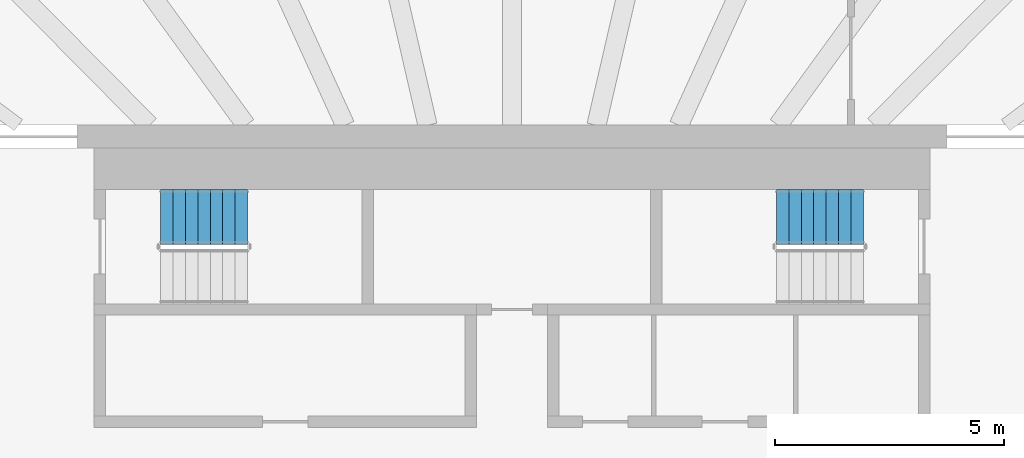
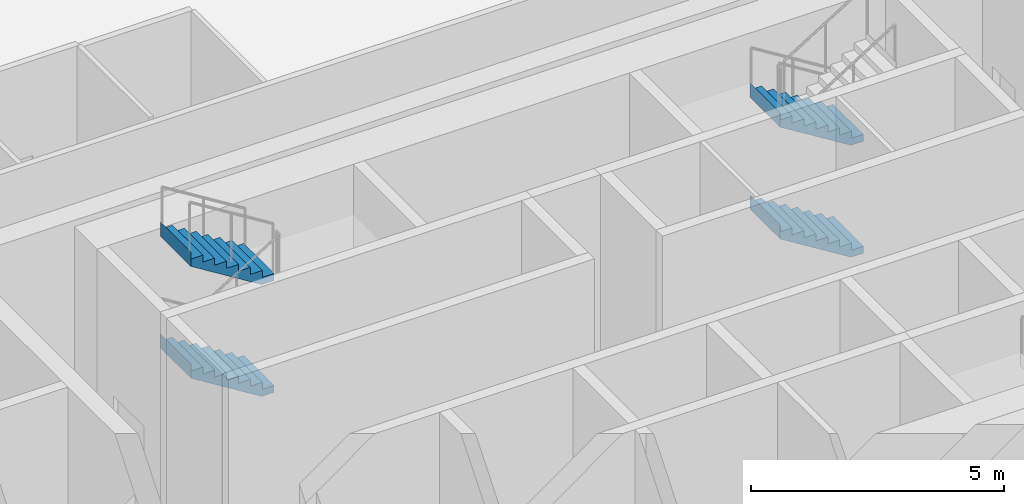
# One storey, part 11 of 18: 4 stair flights, 2 elements without a shape of their own.
"""IFC4 building model written with IfcOpenShell, lengths in metres."""

from ifc_helpers import new_model, si_unit, direction, frame, origin, place, context, subcontext, project, spatial, triangles, material, type_object, element, aggregate, save


model = new_model("IFC4")

# Units and contexts
model_context = context("Model", 3, precision=1e-05, world=origin(), true_north=direction((0.0, 1.0)))
body_context = subcontext(model_context, "Body", "Model", "MODEL_VIEW")
ifc_project = project(units=[si_unit("LENGTHUNIT", "METRE"), si_unit("AREAUNIT", "SQUARE_METRE"), si_unit("VOLUMEUNIT", "CUBIC_METRE"), si_unit("PLANEANGLEUNIT", "RADIAN"), si_unit("MASSUNIT", "GRAM", prefix="KILO")], contexts=[model_context])

# Site, building, storey
site_placement = place(None, origin())
site = spatial("IfcSite", under=ifc_project, at=site_placement, CompositionType="ELEMENT")
building_placement = place(site_placement, origin())
building = spatial("IfcBuilding", under=site, at=building_placement, Name="Sahrelin Media Tower", CompositionType="ELEMENT")
storey_placement = place(building_placement, frame((0.0, 0.0, 148.199951171875)))
storey = spatial("IfcBuildingStorey", under=building, at=storey_placement, Name="L30", CompositionType="ELEMENT", Elevation=148.199951171875)

# Stair, stair flights
ifc_material = material(Name="Concrete C40/50", Category="concrete")
stair_type = type_object("IfcStairType", Name="Exit stair 1200", PredefinedType="HALF_TURN_STAIR", material=ifc_material)
placement = place(storey_placement, origin())
stair_1 = element("IfcStair", 1, at=placement, inside=storey, type_object=stair_type, Name="L30 Exit stair ST1", PredefinedType="HALF_TURN_STAIR")
stair_flight_type = type_object("IfcStairFlightType", Name="Stair flight 1200", PredefinedType="STRAIGHT", material=ifc_material)
stair_flight_1_placement = place(storey_placement, frame((-5.77490234375, 6.0, 1.35009765625), z_axis=(0.0, 0.0, 1.0), x_axis=(-1.0, 0.0, 0.0)))
stair_flight_1 = element("IfcStairFlight", 2, at=stair_flight_1_placement, type_object=stair_flight_type, Name="ST1 flight 2", NumberOfRisers=8, NumberOfTreads=7, PredefinedType="STRAIGHT", RiserHeight=0.16875, TreadLength=0.271428571, context=body_context, shape_type="Tessellation", body=[
    triangles([(0.283935546875, 0.60009765625, 0.0), (0.283935546875, 0.300048828125, 0.0), (0.283935546875, 0.0, 0.0), (0.283935546875, -0.300048828125, 0.0), (0.283935546875, -0.60009765625, 0.0), (1.89990234375, 0.60009765625, 1.004638671875), (1.89990234375, 0.300048828125, 1.004638671875), (1.89990234375, 0.0, 1.004638671875), (1.89990234375, -0.300048828125, 1.004638671875), (1.89990234375, -0.60009765625, 1.004638671875), (1.89990234375, 0.60009765625, 1.35009765625), (1.89990234375, 0.300048828125, 1.35009765625), (1.89990234375, 0.0, 1.35009765625), (1.89990234375, -0.300048828125, 1.35009765625), (1.89990234375, -0.60009765625, 1.35009765625), (1.89794921875, 0.60009765625, 1.35009765625), (1.89794921875, 0.300048828125, 1.35009765625), (1.89794921875, 0.0, 1.35009765625), (1.89794921875, -0.300048828125, 1.35009765625), (1.89794921875, -0.60009765625, 1.35009765625), (1.89794921875, 0.60009765625, 1.18115234375), (1.89794921875, 0.300048828125, 1.18115234375), (1.89794921875, 0.0, 1.18115234375), (1.89794921875, -0.300048828125, 1.18115234375), (1.89794921875, -0.60009765625, 1.18115234375), (1.628662109375, 0.60009765625, 1.18115234375), (1.628662109375, 0.300048828125, 1.18115234375), (1.628662109375, 0.0, 1.18115234375), (1.628662109375, -0.300048828125, 1.18115234375), (1.628662109375, -0.60009765625, 1.18115234375), (1.628662109375, 0.60009765625, 1.012451171875), (1.628662109375, 0.300048828125, 1.012451171875), (1.628662109375, 0.0, 1.012451171875), (1.628662109375, -0.300048828125, 1.012451171875), (1.628662109375, -0.60009765625, 1.012451171875), (1.357177734375, 0.60009765625, 1.012451171875), (1.357177734375, 0.300048828125, 1.012451171875), (1.357177734375, 0.0, 1.012451171875), (1.357177734375, -0.300048828125, 1.012451171875), (1.357177734375, -0.60009765625, 1.012451171875), (1.357177734375, 0.60009765625, 0.84375), (1.357177734375, 0.300048828125, 0.84375), (1.357177734375, 0.0, 0.84375), (1.357177734375, -0.300048828125, 0.84375), (1.357177734375, -0.60009765625, 0.84375), (1.085693359375, 0.60009765625, 0.84375), (1.085693359375, 0.300048828125, 0.84375), (1.085693359375, 0.0, 0.84375), (1.085693359375, -0.300048828125, 0.84375), (1.085693359375, -0.60009765625, 0.84375), (1.085693359375, 0.60009765625, 0.675048828125), (1.085693359375, 0.300048828125, 0.675048828125), (1.085693359375, 0.0, 0.675048828125), (1.085693359375, -0.300048828125, 0.675048828125), (1.085693359375, -0.60009765625, 0.675048828125), (0.814208984375, 0.60009765625, 0.675048828125), (0.814208984375, 0.300048828125, 0.675048828125), (0.814208984375, 0.0, 0.675048828125), (0.814208984375, -0.300048828125, 0.675048828125), (0.814208984375, -0.60009765625, 0.675048828125), (0.814208984375, 0.60009765625, 0.50634765625), (0.814208984375, 0.300048828125, 0.50634765625), (0.814208984375, 0.0, 0.50634765625), (0.814208984375, -0.300048828125, 0.50634765625), (0.814208984375, -0.60009765625, 0.50634765625), (0.54296875, 0.60009765625, 0.50634765625), (0.54296875, 0.300048828125, 0.50634765625), (0.54296875, 0.0, 0.50634765625), (0.54296875, -0.300048828125, 0.50634765625), (0.54296875, -0.60009765625, 0.50634765625), (0.54296875, 0.60009765625, 0.33740234375), (0.54296875, 0.300048828125, 0.33740234375), (0.54296875, 0.0, 0.33740234375), (0.54296875, -0.300048828125, 0.33740234375), (0.54296875, -0.60009765625, 0.33740234375), (0.271484375, 0.60009765625, 0.33740234375), (0.271484375, 0.300048828125, 0.33740234375), (0.271484375, 0.0, 0.33740234375), (0.271484375, -0.300048828125, 0.33740234375), (0.271484375, -0.60009765625, 0.33740234375), (0.271484375, 0.60009765625, 0.168701171875), (0.271484375, 0.300048828125, 0.168701171875), (0.271484375, 0.0, 0.168701171875), (0.271484375, -0.300048828125, 0.168701171875), (0.271484375, -0.60009765625, 0.168701171875), (0.0, 0.60009765625, 0.168701171875), (0.0, 0.300048828125, 0.168701171875), (0.0, 0.0, 0.168701171875), (0.0, -0.300048828125, 0.168701171875), (0.0, -0.60009765625, 0.168701171875), (0.0, 0.60009765625, 0.0), (0.0, 0.300048828125, 0.0), (0.0, 0.0, 0.0), (0.0, -0.300048828125, 0.0), (0.0, -0.60009765625, 0.0)], [[1, 6, 7], [1, 7, 2], [2, 7, 8], [2, 8, 3], [3, 8, 9], [3, 9, 4], [4, 9, 10], [4, 10, 5], [6, 11, 12], [6, 12, 7], [7, 12, 13], [7, 13, 8], [8, 13, 14], [8, 14, 9], [9, 14, 15], [9, 15, 10], [11, 16, 17], [11, 17, 12], [12, 17, 18], [12, 18, 13], [13, 18, 19], [13, 19, 14], [14, 19, 20], [14, 20, 15], [16, 21, 22], [16, 22, 17], [17, 22, 23], [17, 23, 18], [18, 23, 24], [18, 24, 19], [19, 24, 25], [19, 25, 20], [21, 26, 27], [21, 27, 22], [22, 27, 28], [22, 28, 23], [23, 28, 29], [23, 29, 24], [24, 29, 30], [24, 30, 25], [26, 31, 32], [26, 32, 27], [27, 32, 33], [27, 33, 28], [28, 33, 34], [28, 34, 29], [29, 34, 35], [29, 35, 30], [31, 36, 37], [31, 37, 32], [32, 37, 38], [32, 38, 33], [33, 38, 39], [33, 39, 34], [34, 39, 40], [34, 40, 35], [36, 41, 42], [36, 42, 37], [37, 42, 43], [37, 43, 38], [38, 43, 44], [38, 44, 39], [39, 44, 45], [39, 45, 40], [41, 46, 47], [41, 47, 42], [42, 47, 48], [42, 48, 43], [43, 48, 49], [43, 49, 44], [44, 49, 50], [44, 50, 45], [46, 51, 52], [46, 52, 47], [47, 52, 53], [47, 53, 48], [48, 53, 54], [48, 54, 49], [49, 54, 55], [49, 55, 50], [51, 56, 57], [51, 57, 52], [52, 57, 58], [52, 58, 53], [53, 58, 59], [53, 59, 54], [54, 59, 60], [54, 60, 55], [56, 61, 62], [56, 62, 57], [57, 62, 63], [57, 63, 58], [58, 63, 64], [58, 64, 59], [59, 64, 65], [59, 65, 60], [61, 66, 67], [61, 67, 62], [62, 67, 68], [62, 68, 63], [63, 68, 69], [63, 69, 64], [64, 69, 70], [64, 70, 65], [66, 71, 72], [66, 72, 67], [67, 72, 73], [67, 73, 68], [68, 73, 74], [68, 74, 69], [69, 74, 75], [69, 75, 70], [71, 76, 77], [71, 77, 72], [72, 77, 78], [72, 78, 73], [73, 78, 79], [73, 79, 74], [74, 79, 80], [74, 80, 75], [76, 81, 82], [76, 82, 77], [77, 82, 83], [77, 83, 78], [78, 83, 84], [78, 84, 79], [79, 84, 85], [79, 85, 80], [81, 86, 87], [81, 87, 82], [82, 87, 88], [82, 88, 83], [83, 88, 89], [83, 89, 84], [84, 89, 90], [84, 90, 85], [86, 91, 92], [86, 92, 87], [87, 92, 93], [87, 93, 88], [88, 93, 94], [88, 94, 89], [89, 94, 95], [89, 95, 90], [91, 1, 2], [91, 2, 92], [92, 2, 3], [92, 3, 93], [93, 3, 4], [93, 4, 94], [94, 4, 5], [94, 5, 95], [85, 90, 95], [81, 91, 86], [85, 75, 80], [81, 76, 71], [75, 65, 70], [71, 66, 61], [65, 55, 60], [61, 56, 51], [55, 45, 50], [51, 46, 41], [45, 35, 40], [41, 36, 31], [35, 25, 30], [31, 26, 21], [25, 15, 20], [21, 16, 11], [95, 5, 85], [91, 81, 1], [5, 55, 65], [1, 61, 51], [25, 10, 15], [21, 11, 6], [75, 85, 5], [71, 1, 81], [10, 45, 55], [6, 51, 41], [35, 10, 25], [31, 21, 6], [65, 75, 5], [61, 1, 71], [45, 10, 35], [41, 31, 6], [5, 10, 55], [1, 51, 6]], closed=True),
])
stair_flight_2_placement = place(storey_placement, frame((-5.77490234375, 6.0, 4.050048828125), z_axis=(0.0, 0.0, 1.0), x_axis=(-1.0, 0.0, 0.0)))
stair_flight_2 = element("IfcStairFlight", 3, at=stair_flight_2_placement, type_object=stair_flight_type, Name="ST1 flight 4", NumberOfRisers=8, NumberOfTreads=7, PredefinedType="STRAIGHT", RiserHeight=0.16875, TreadLength=0.271428571, context=body_context, shape_type="Tessellation", body=[
    triangles([(0.283935546875, 0.60009765625, 0.0), (0.283935546875, 0.300048828125, 0.0), (0.283935546875, 0.0, 0.0), (0.283935546875, -0.300048828125, 0.0), (0.283935546875, -0.60009765625, 0.0), (1.89990234375, 0.60009765625, 1.004638671875), (1.89990234375, 0.300048828125, 1.004638671875), (1.89990234375, 0.0, 1.004638671875), (1.89990234375, -0.300048828125, 1.004638671875), (1.89990234375, -0.60009765625, 1.004638671875), (1.89990234375, 0.60009765625, 1.35009765625), (1.89990234375, 0.300048828125, 1.35009765625), (1.89990234375, 0.0, 1.35009765625), (1.89990234375, -0.300048828125, 1.35009765625), (1.89990234375, -0.60009765625, 1.35009765625), (1.89794921875, 0.60009765625, 1.35009765625), (1.89794921875, 0.300048828125, 1.35009765625), (1.89794921875, 0.0, 1.35009765625), (1.89794921875, -0.300048828125, 1.35009765625), (1.89794921875, -0.60009765625, 1.35009765625), (1.89794921875, 0.60009765625, 1.18115234375), (1.89794921875, 0.300048828125, 1.18115234375), (1.89794921875, 0.0, 1.18115234375), (1.89794921875, -0.300048828125, 1.18115234375), (1.89794921875, -0.60009765625, 1.18115234375), (1.628662109375, 0.60009765625, 1.18115234375), (1.628662109375, 0.300048828125, 1.18115234375), (1.628662109375, 0.0, 1.18115234375), (1.628662109375, -0.300048828125, 1.18115234375), (1.628662109375, -0.60009765625, 1.18115234375), (1.628662109375, 0.60009765625, 1.012451171875), (1.628662109375, 0.300048828125, 1.012451171875), (1.628662109375, 0.0, 1.012451171875), (1.628662109375, -0.300048828125, 1.012451171875), (1.628662109375, -0.60009765625, 1.012451171875), (1.357177734375, 0.60009765625, 1.012451171875), (1.357177734375, 0.300048828125, 1.012451171875), (1.357177734375, 0.0, 1.012451171875), (1.357177734375, -0.300048828125, 1.012451171875), (1.357177734375, -0.60009765625, 1.012451171875), (1.357177734375, 0.60009765625, 0.84375), (1.357177734375, 0.300048828125, 0.84375), (1.357177734375, 0.0, 0.84375), (1.357177734375, -0.300048828125, 0.84375), (1.357177734375, -0.60009765625, 0.84375), (1.085693359375, 0.60009765625, 0.84375), (1.085693359375, 0.300048828125, 0.84375), (1.085693359375, 0.0, 0.84375), (1.085693359375, -0.300048828125, 0.84375), (1.085693359375, -0.60009765625, 0.84375), (1.085693359375, 0.60009765625, 0.675048828125), (1.085693359375, 0.300048828125, 0.675048828125), (1.085693359375, 0.0, 0.675048828125), (1.085693359375, -0.300048828125, 0.675048828125), (1.085693359375, -0.60009765625, 0.675048828125), (0.814208984375, 0.60009765625, 0.675048828125), (0.814208984375, 0.300048828125, 0.675048828125), (0.814208984375, 0.0, 0.675048828125), (0.814208984375, -0.300048828125, 0.675048828125), (0.814208984375, -0.60009765625, 0.675048828125), (0.814208984375, 0.60009765625, 0.50634765625), (0.814208984375, 0.300048828125, 0.50634765625), (0.814208984375, 0.0, 0.50634765625), (0.814208984375, -0.300048828125, 0.50634765625), (0.814208984375, -0.60009765625, 0.50634765625), (0.54296875, 0.60009765625, 0.50634765625), (0.54296875, 0.300048828125, 0.50634765625), (0.54296875, 0.0, 0.50634765625), (0.54296875, -0.300048828125, 0.50634765625), (0.54296875, -0.60009765625, 0.50634765625), (0.54296875, 0.60009765625, 0.33740234375), (0.54296875, 0.300048828125, 0.33740234375), (0.54296875, 0.0, 0.33740234375), (0.54296875, -0.300048828125, 0.33740234375), (0.54296875, -0.60009765625, 0.33740234375), (0.271484375, 0.60009765625, 0.33740234375), (0.271484375, 0.300048828125, 0.33740234375), (0.271484375, 0.0, 0.33740234375), (0.271484375, -0.300048828125, 0.33740234375), (0.271484375, -0.60009765625, 0.33740234375), (0.271484375, 0.60009765625, 0.168701171875), (0.271484375, 0.300048828125, 0.168701171875), (0.271484375, 0.0, 0.168701171875), (0.271484375, -0.300048828125, 0.168701171875), (0.271484375, -0.60009765625, 0.168701171875), (0.0, 0.60009765625, 0.168701171875), (0.0, 0.300048828125, 0.168701171875), (0.0, 0.0, 0.168701171875), (0.0, -0.300048828125, 0.168701171875), (0.0, -0.60009765625, 0.168701171875), (0.0, 0.60009765625, 0.0), (0.0, 0.300048828125, 0.0), (0.0, 0.0, 0.0), (0.0, -0.300048828125, 0.0), (0.0, -0.60009765625, 0.0)], [[1, 6, 7], [1, 7, 2], [2, 7, 8], [2, 8, 3], [3, 8, 9], [3, 9, 4], [4, 9, 10], [4, 10, 5], [6, 11, 12], [6, 12, 7], [7, 12, 13], [7, 13, 8], [8, 13, 14], [8, 14, 9], [9, 14, 15], [9, 15, 10], [11, 16, 17], [11, 17, 12], [12, 17, 18], [12, 18, 13], [13, 18, 19], [13, 19, 14], [14, 19, 20], [14, 20, 15], [16, 21, 22], [16, 22, 17], [17, 22, 23], [17, 23, 18], [18, 23, 24], [18, 24, 19], [19, 24, 25], [19, 25, 20], [21, 26, 27], [21, 27, 22], [22, 27, 28], [22, 28, 23], [23, 28, 29], [23, 29, 24], [24, 29, 30], [24, 30, 25], [26, 31, 32], [26, 32, 27], [27, 32, 33], [27, 33, 28], [28, 33, 34], [28, 34, 29], [29, 34, 35], [29, 35, 30], [31, 36, 37], [31, 37, 32], [32, 37, 38], [32, 38, 33], [33, 38, 39], [33, 39, 34], [34, 39, 40], [34, 40, 35], [36, 41, 42], [36, 42, 37], [37, 42, 43], [37, 43, 38], [38, 43, 44], [38, 44, 39], [39, 44, 45], [39, 45, 40], [41, 46, 47], [41, 47, 42], [42, 47, 48], [42, 48, 43], [43, 48, 49], [43, 49, 44], [44, 49, 50], [44, 50, 45], [46, 51, 52], [46, 52, 47], [47, 52, 53], [47, 53, 48], [48, 53, 54], [48, 54, 49], [49, 54, 55], [49, 55, 50], [51, 56, 57], [51, 57, 52], [52, 57, 58], [52, 58, 53], [53, 58, 59], [53, 59, 54], [54, 59, 60], [54, 60, 55], [56, 61, 62], [56, 62, 57], [57, 62, 63], [57, 63, 58], [58, 63, 64], [58, 64, 59], [59, 64, 65], [59, 65, 60], [61, 66, 67], [61, 67, 62], [62, 67, 68], [62, 68, 63], [63, 68, 69], [63, 69, 64], [64, 69, 70], [64, 70, 65], [66, 71, 72], [66, 72, 67], [67, 72, 73], [67, 73, 68], [68, 73, 74], [68, 74, 69], [69, 74, 75], [69, 75, 70], [71, 76, 77], [71, 77, 72], [72, 77, 78], [72, 78, 73], [73, 78, 79], [73, 79, 74], [74, 79, 80], [74, 80, 75], [76, 81, 82], [76, 82, 77], [77, 82, 83], [77, 83, 78], [78, 83, 84], [78, 84, 79], [79, 84, 85], [79, 85, 80], [81, 86, 87], [81, 87, 82], [82, 87, 88], [82, 88, 83], [83, 88, 89], [83, 89, 84], [84, 89, 90], [84, 90, 85], [86, 91, 92], [86, 92, 87], [87, 92, 93], [87, 93, 88], [88, 93, 94], [88, 94, 89], [89, 94, 95], [89, 95, 90], [91, 1, 2], [91, 2, 92], [92, 2, 3], [92, 3, 93], [93, 3, 4], [93, 4, 94], [94, 4, 5], [94, 5, 95], [85, 90, 95], [81, 91, 86], [85, 75, 80], [81, 76, 71], [75, 65, 70], [71, 66, 61], [65, 55, 60], [61, 56, 51], [55, 45, 50], [51, 46, 41], [45, 35, 40], [41, 36, 31], [35, 25, 30], [31, 26, 21], [25, 15, 20], [21, 16, 11], [95, 5, 85], [91, 81, 1], [5, 55, 65], [1, 61, 51], [25, 10, 15], [21, 11, 6], [75, 85, 5], [71, 1, 81], [10, 45, 55], [6, 51, 41], [35, 10, 25], [31, 21, 6], [65, 75, 5], [61, 1, 71], [45, 10, 35], [41, 31, 6], [5, 10, 55], [1, 51, 6]], closed=True),
])
aggregate(stair_1, [stair_flight_1, stair_flight_2])

stair_2 = element("IfcStair", 4, at=placement, inside=storey, type_object=stair_type, Name="L30 Exit stair ST3", PredefinedType="HALF_TURN_STAIR")
stair_flight_3_placement = place(storey_placement, frame((7.675048828125, 6.0, 0.0), z_axis=(0.0, 0.0, 1.0), x_axis=(-1.0, 0.0, 0.0)))
stair_flight_3 = element("IfcStairFlight", 5, at=stair_flight_3_placement, type_object=stair_flight_type, Name="ST3 flight 1", NumberOfRisers=8, NumberOfTreads=7, PredefinedType="STRAIGHT", RiserHeight=0.16875, TreadLength=0.271428571, context=body_context, shape_type="Tessellation", body=[
    triangles([(0.283935546875, 0.60009765625, 0.0), (0.283935546875, 0.300048828125, 0.0), (0.283935546875, 0.0, 0.0), (0.283935546875, -0.300048828125, 0.0), (0.283935546875, -0.60009765625, 0.0), (1.89990234375, 0.60009765625, 1.004638671875), (1.89990234375, 0.300048828125, 1.004638671875), (1.89990234375, 0.0, 1.004638671875), (1.89990234375, -0.300048828125, 1.004638671875), (1.89990234375, -0.60009765625, 1.004638671875), (1.89990234375, 0.60009765625, 1.35009765625), (1.89990234375, 0.300048828125, 1.35009765625), (1.89990234375, 0.0, 1.35009765625), (1.89990234375, -0.300048828125, 1.35009765625), (1.89990234375, -0.60009765625, 1.35009765625), (1.89794921875, 0.60009765625, 1.35009765625), (1.89794921875, 0.300048828125, 1.35009765625), (1.89794921875, 0.0, 1.35009765625), (1.89794921875, -0.300048828125, 1.35009765625), (1.89794921875, -0.60009765625, 1.35009765625), (1.89794921875, 0.60009765625, 1.18115234375), (1.89794921875, 0.300048828125, 1.18115234375), (1.89794921875, 0.0, 1.18115234375), (1.89794921875, -0.300048828125, 1.18115234375), (1.89794921875, -0.60009765625, 1.18115234375), (1.628662109375, 0.60009765625, 1.18115234375), (1.628662109375, 0.300048828125, 1.18115234375), (1.628662109375, 0.0, 1.18115234375), (1.628662109375, -0.300048828125, 1.18115234375), (1.628662109375, -0.60009765625, 1.18115234375), (1.628662109375, 0.60009765625, 1.012451171875), (1.628662109375, 0.300048828125, 1.012451171875), (1.628662109375, 0.0, 1.012451171875), (1.628662109375, -0.300048828125, 1.012451171875), (1.628662109375, -0.60009765625, 1.012451171875), (1.357177734375, 0.60009765625, 1.012451171875), (1.357177734375, 0.300048828125, 1.012451171875), (1.357177734375, 0.0, 1.012451171875), (1.357177734375, -0.300048828125, 1.012451171875), (1.357177734375, -0.60009765625, 1.012451171875), (1.357177734375, 0.60009765625, 0.84375), (1.357177734375, 0.300048828125, 0.84375), (1.357177734375, 0.0, 0.84375), (1.357177734375, -0.300048828125, 0.84375), (1.357177734375, -0.60009765625, 0.84375), (1.085693359375, 0.60009765625, 0.84375), (1.085693359375, 0.300048828125, 0.84375), (1.085693359375, 0.0, 0.84375), (1.085693359375, -0.300048828125, 0.84375), (1.085693359375, -0.60009765625, 0.84375), (1.085693359375, 0.60009765625, 0.675048828125), (1.085693359375, 0.300048828125, 0.675048828125), (1.085693359375, 0.0, 0.675048828125), (1.085693359375, -0.300048828125, 0.675048828125), (1.085693359375, -0.60009765625, 0.675048828125), (0.814208984375, 0.60009765625, 0.675048828125), (0.814208984375, 0.300048828125, 0.675048828125), (0.814208984375, 0.0, 0.675048828125), (0.814208984375, -0.300048828125, 0.675048828125), (0.814208984375, -0.60009765625, 0.675048828125), (0.814208984375, 0.60009765625, 0.50634765625), (0.814208984375, 0.300048828125, 0.50634765625), (0.814208984375, 0.0, 0.50634765625), (0.814208984375, -0.300048828125, 0.50634765625), (0.814208984375, -0.60009765625, 0.50634765625), (0.54296875, 0.60009765625, 0.50634765625), (0.54296875, 0.300048828125, 0.50634765625), (0.54296875, 0.0, 0.50634765625), (0.54296875, -0.300048828125, 0.50634765625), (0.54296875, -0.60009765625, 0.50634765625), (0.54296875, 0.60009765625, 0.33740234375), (0.54296875, 0.300048828125, 0.33740234375), (0.54296875, 0.0, 0.33740234375), (0.54296875, -0.300048828125, 0.33740234375), (0.54296875, -0.60009765625, 0.33740234375), (0.271484375, 0.60009765625, 0.33740234375), (0.271484375, 0.300048828125, 0.33740234375), (0.271484375, 0.0, 0.33740234375), (0.271484375, -0.300048828125, 0.33740234375), (0.271484375, -0.60009765625, 0.33740234375), (0.271484375, 0.60009765625, 0.168701171875), (0.271484375, 0.300048828125, 0.168701171875), (0.271484375, 0.0, 0.168701171875), (0.271484375, -0.300048828125, 0.168701171875), (0.271484375, -0.60009765625, 0.168701171875), (0.0, 0.60009765625, 0.168701171875), (0.0, 0.300048828125, 0.168701171875), (0.0, 0.0, 0.168701171875), (0.0, -0.300048828125, 0.168701171875), (0.0, -0.60009765625, 0.168701171875), (0.0, 0.60009765625, 0.0), (0.0, 0.300048828125, 0.0), (0.0, 0.0, 0.0), (0.0, -0.300048828125, 0.0), (0.0, -0.60009765625, 0.0)], [[1, 6, 7], [1, 7, 2], [2, 7, 8], [2, 8, 3], [3, 8, 9], [3, 9, 4], [4, 9, 10], [4, 10, 5], [6, 11, 12], [6, 12, 7], [7, 12, 13], [7, 13, 8], [8, 13, 14], [8, 14, 9], [9, 14, 15], [9, 15, 10], [11, 16, 17], [11, 17, 12], [12, 17, 18], [12, 18, 13], [13, 18, 19], [13, 19, 14], [14, 19, 20], [14, 20, 15], [16, 21, 22], [16, 22, 17], [17, 22, 23], [17, 23, 18], [18, 23, 24], [18, 24, 19], [19, 24, 25], [19, 25, 20], [21, 26, 27], [21, 27, 22], [22, 27, 28], [22, 28, 23], [23, 28, 29], [23, 29, 24], [24, 29, 30], [24, 30, 25], [26, 31, 32], [26, 32, 27], [27, 32, 33], [27, 33, 28], [28, 33, 34], [28, 34, 29], [29, 34, 35], [29, 35, 30], [31, 36, 37], [31, 37, 32], [32, 37, 38], [32, 38, 33], [33, 38, 39], [33, 39, 34], [34, 39, 40], [34, 40, 35], [36, 41, 42], [36, 42, 37], [37, 42, 43], [37, 43, 38], [38, 43, 44], [38, 44, 39], [39, 44, 45], [39, 45, 40], [41, 46, 47], [41, 47, 42], [42, 47, 48], [42, 48, 43], [43, 48, 49], [43, 49, 44], [44, 49, 50], [44, 50, 45], [46, 51, 52], [46, 52, 47], [47, 52, 53], [47, 53, 48], [48, 53, 54], [48, 54, 49], [49, 54, 55], [49, 55, 50], [51, 56, 57], [51, 57, 52], [52, 57, 58], [52, 58, 53], [53, 58, 59], [53, 59, 54], [54, 59, 60], [54, 60, 55], [56, 61, 62], [56, 62, 57], [57, 62, 63], [57, 63, 58], [58, 63, 64], [58, 64, 59], [59, 64, 65], [59, 65, 60], [61, 66, 67], [61, 67, 62], [62, 67, 68], [62, 68, 63], [63, 68, 69], [63, 69, 64], [64, 69, 70], [64, 70, 65], [66, 71, 72], [66, 72, 67], [67, 72, 73], [67, 73, 68], [68, 73, 74], [68, 74, 69], [69, 74, 75], [69, 75, 70], [71, 76, 77], [71, 77, 72], [72, 77, 78], [72, 78, 73], [73, 78, 79], [73, 79, 74], [74, 79, 80], [74, 80, 75], [76, 81, 82], [76, 82, 77], [77, 82, 83], [77, 83, 78], [78, 83, 84], [78, 84, 79], [79, 84, 85], [79, 85, 80], [81, 86, 87], [81, 87, 82], [82, 87, 88], [82, 88, 83], [83, 88, 89], [83, 89, 84], [84, 89, 90], [84, 90, 85], [86, 91, 92], [86, 92, 87], [87, 92, 93], [87, 93, 88], [88, 93, 94], [88, 94, 89], [89, 94, 95], [89, 95, 90], [91, 1, 2], [91, 2, 92], [92, 2, 3], [92, 3, 93], [93, 3, 4], [93, 4, 94], [94, 4, 5], [94, 5, 95], [85, 90, 95], [81, 91, 86], [85, 75, 80], [81, 76, 71], [75, 65, 70], [71, 66, 61], [65, 55, 60], [61, 56, 51], [55, 45, 50], [51, 46, 41], [45, 35, 40], [41, 36, 31], [35, 25, 30], [31, 26, 21], [25, 15, 20], [21, 16, 11], [95, 5, 85], [91, 81, 1], [5, 55, 65], [1, 61, 51], [25, 10, 15], [21, 11, 6], [75, 85, 5], [71, 1, 81], [10, 45, 55], [6, 51, 41], [35, 10, 25], [31, 21, 6], [65, 75, 5], [61, 1, 71], [45, 10, 35], [41, 31, 6], [5, 10, 55], [1, 51, 6]], closed=True),
])
stair_flight_4_placement = place(storey_placement, frame((7.675048828125, 6.0, 2.699951171875), z_axis=(0.0, 0.0, 1.0), x_axis=(-1.0, 0.0, 0.0)))
stair_flight_4 = element("IfcStairFlight", 6, at=stair_flight_4_placement, type_object=stair_flight_type, Name="ST3 flight 3", NumberOfRisers=8, NumberOfTreads=7, PredefinedType="STRAIGHT", RiserHeight=0.16875, TreadLength=0.271428571, context=body_context, shape_type="Tessellation", body=[
    triangles([(0.283935546875, 0.60009765625, 0.0), (0.283935546875, 0.300048828125, 0.0), (0.283935546875, 0.0, 0.0), (0.283935546875, -0.300048828125, 0.0), (0.283935546875, -0.60009765625, 0.0), (1.89990234375, 0.60009765625, 1.004638671875), (1.89990234375, 0.300048828125, 1.004638671875), (1.89990234375, 0.0, 1.004638671875), (1.89990234375, -0.300048828125, 1.004638671875), (1.89990234375, -0.60009765625, 1.004638671875), (1.89990234375, 0.60009765625, 1.35009765625), (1.89990234375, 0.300048828125, 1.35009765625), (1.89990234375, 0.0, 1.35009765625), (1.89990234375, -0.300048828125, 1.35009765625), (1.89990234375, -0.60009765625, 1.35009765625), (1.89794921875, 0.60009765625, 1.35009765625), (1.89794921875, 0.300048828125, 1.35009765625), (1.89794921875, 0.0, 1.35009765625), (1.89794921875, -0.300048828125, 1.35009765625), (1.89794921875, -0.60009765625, 1.35009765625), (1.89794921875, 0.60009765625, 1.18115234375), (1.89794921875, 0.300048828125, 1.18115234375), (1.89794921875, 0.0, 1.18115234375), (1.89794921875, -0.300048828125, 1.18115234375), (1.89794921875, -0.60009765625, 1.18115234375), (1.628662109375, 0.60009765625, 1.18115234375), (1.628662109375, 0.300048828125, 1.18115234375), (1.628662109375, 0.0, 1.18115234375), (1.628662109375, -0.300048828125, 1.18115234375), (1.628662109375, -0.60009765625, 1.18115234375), (1.628662109375, 0.60009765625, 1.012451171875), (1.628662109375, 0.300048828125, 1.012451171875), (1.628662109375, 0.0, 1.012451171875), (1.628662109375, -0.300048828125, 1.012451171875), (1.628662109375, -0.60009765625, 1.012451171875), (1.357177734375, 0.60009765625, 1.012451171875), (1.357177734375, 0.300048828125, 1.012451171875), (1.357177734375, 0.0, 1.012451171875), (1.357177734375, -0.300048828125, 1.012451171875), (1.357177734375, -0.60009765625, 1.012451171875), (1.357177734375, 0.60009765625, 0.84375), (1.357177734375, 0.300048828125, 0.84375), (1.357177734375, 0.0, 0.84375), (1.357177734375, -0.300048828125, 0.84375), (1.357177734375, -0.60009765625, 0.84375), (1.085693359375, 0.60009765625, 0.84375), (1.085693359375, 0.300048828125, 0.84375), (1.085693359375, 0.0, 0.84375), (1.085693359375, -0.300048828125, 0.84375), (1.085693359375, -0.60009765625, 0.84375), (1.085693359375, 0.60009765625, 0.675048828125), (1.085693359375, 0.300048828125, 0.675048828125), (1.085693359375, 0.0, 0.675048828125), (1.085693359375, -0.300048828125, 0.675048828125), (1.085693359375, -0.60009765625, 0.675048828125), (0.814208984375, 0.60009765625, 0.675048828125), (0.814208984375, 0.300048828125, 0.675048828125), (0.814208984375, 0.0, 0.675048828125), (0.814208984375, -0.300048828125, 0.675048828125), (0.814208984375, -0.60009765625, 0.675048828125), (0.814208984375, 0.60009765625, 0.50634765625), (0.814208984375, 0.300048828125, 0.50634765625), (0.814208984375, 0.0, 0.50634765625), (0.814208984375, -0.300048828125, 0.50634765625), (0.814208984375, -0.60009765625, 0.50634765625), (0.54296875, 0.60009765625, 0.50634765625), (0.54296875, 0.300048828125, 0.50634765625), (0.54296875, 0.0, 0.50634765625), (0.54296875, -0.300048828125, 0.50634765625), (0.54296875, -0.60009765625, 0.50634765625), (0.54296875, 0.60009765625, 0.33740234375), (0.54296875, 0.300048828125, 0.33740234375), (0.54296875, 0.0, 0.33740234375), (0.54296875, -0.300048828125, 0.33740234375), (0.54296875, -0.60009765625, 0.33740234375), (0.271484375, 0.60009765625, 0.33740234375), (0.271484375, 0.300048828125, 0.33740234375), (0.271484375, 0.0, 0.33740234375), (0.271484375, -0.300048828125, 0.33740234375), (0.271484375, -0.60009765625, 0.33740234375), (0.271484375, 0.60009765625, 0.168701171875), (0.271484375, 0.300048828125, 0.168701171875), (0.271484375, 0.0, 0.168701171875), (0.271484375, -0.300048828125, 0.168701171875), (0.271484375, -0.60009765625, 0.168701171875), (0.0, 0.60009765625, 0.168701171875), (0.0, 0.300048828125, 0.168701171875), (0.0, 0.0, 0.168701171875), (0.0, -0.300048828125, 0.168701171875), (0.0, -0.60009765625, 0.168701171875), (0.0, 0.60009765625, 0.0), (0.0, 0.300048828125, 0.0), (0.0, 0.0, 0.0), (0.0, -0.300048828125, 0.0), (0.0, -0.60009765625, 0.0)], [[1, 6, 7], [1, 7, 2], [2, 7, 8], [2, 8, 3], [3, 8, 9], [3, 9, 4], [4, 9, 10], [4, 10, 5], [6, 11, 12], [6, 12, 7], [7, 12, 13], [7, 13, 8], [8, 13, 14], [8, 14, 9], [9, 14, 15], [9, 15, 10], [11, 16, 17], [11, 17, 12], [12, 17, 18], [12, 18, 13], [13, 18, 19], [13, 19, 14], [14, 19, 20], [14, 20, 15], [16, 21, 22], [16, 22, 17], [17, 22, 23], [17, 23, 18], [18, 23, 24], [18, 24, 19], [19, 24, 25], [19, 25, 20], [21, 26, 27], [21, 27, 22], [22, 27, 28], [22, 28, 23], [23, 28, 29], [23, 29, 24], [24, 29, 30], [24, 30, 25], [26, 31, 32], [26, 32, 27], [27, 32, 33], [27, 33, 28], [28, 33, 34], [28, 34, 29], [29, 34, 35], [29, 35, 30], [31, 36, 37], [31, 37, 32], [32, 37, 38], [32, 38, 33], [33, 38, 39], [33, 39, 34], [34, 39, 40], [34, 40, 35], [36, 41, 42], [36, 42, 37], [37, 42, 43], [37, 43, 38], [38, 43, 44], [38, 44, 39], [39, 44, 45], [39, 45, 40], [41, 46, 47], [41, 47, 42], [42, 47, 48], [42, 48, 43], [43, 48, 49], [43, 49, 44], [44, 49, 50], [44, 50, 45], [46, 51, 52], [46, 52, 47], [47, 52, 53], [47, 53, 48], [48, 53, 54], [48, 54, 49], [49, 54, 55], [49, 55, 50], [51, 56, 57], [51, 57, 52], [52, 57, 58], [52, 58, 53], [53, 58, 59], [53, 59, 54], [54, 59, 60], [54, 60, 55], [56, 61, 62], [56, 62, 57], [57, 62, 63], [57, 63, 58], [58, 63, 64], [58, 64, 59], [59, 64, 65], [59, 65, 60], [61, 66, 67], [61, 67, 62], [62, 67, 68], [62, 68, 63], [63, 68, 69], [63, 69, 64], [64, 69, 70], [64, 70, 65], [66, 71, 72], [66, 72, 67], [67, 72, 73], [67, 73, 68], [68, 73, 74], [68, 74, 69], [69, 74, 75], [69, 75, 70], [71, 76, 77], [71, 77, 72], [72, 77, 78], [72, 78, 73], [73, 78, 79], [73, 79, 74], [74, 79, 80], [74, 80, 75], [76, 81, 82], [76, 82, 77], [77, 82, 83], [77, 83, 78], [78, 83, 84], [78, 84, 79], [79, 84, 85], [79, 85, 80], [81, 86, 87], [81, 87, 82], [82, 87, 88], [82, 88, 83], [83, 88, 89], [83, 89, 84], [84, 89, 90], [84, 90, 85], [86, 91, 92], [86, 92, 87], [87, 92, 93], [87, 93, 88], [88, 93, 94], [88, 94, 89], [89, 94, 95], [89, 95, 90], [91, 1, 2], [91, 2, 92], [92, 2, 3], [92, 3, 93], [93, 3, 4], [93, 4, 94], [94, 4, 5], [94, 5, 95], [85, 90, 95], [81, 91, 86], [85, 75, 80], [81, 76, 71], [75, 65, 70], [71, 66, 61], [65, 55, 60], [61, 56, 51], [55, 45, 50], [51, 46, 41], [45, 35, 40], [41, 36, 31], [35, 25, 30], [31, 26, 21], [25, 15, 20], [21, 16, 11], [95, 5, 85], [91, 81, 1], [5, 55, 65], [1, 61, 51], [25, 10, 15], [21, 11, 6], [75, 85, 5], [71, 1, 81], [10, 45, 55], [6, 51, 41], [35, 10, 25], [31, 21, 6], [65, 75, 5], [61, 1, 71], [45, 10, 35], [41, 31, 6], [5, 10, 55], [1, 51, 6]], closed=True),
])
aggregate(stair_2, [stair_flight_3, stair_flight_4])

save(model, "model.ifc")
